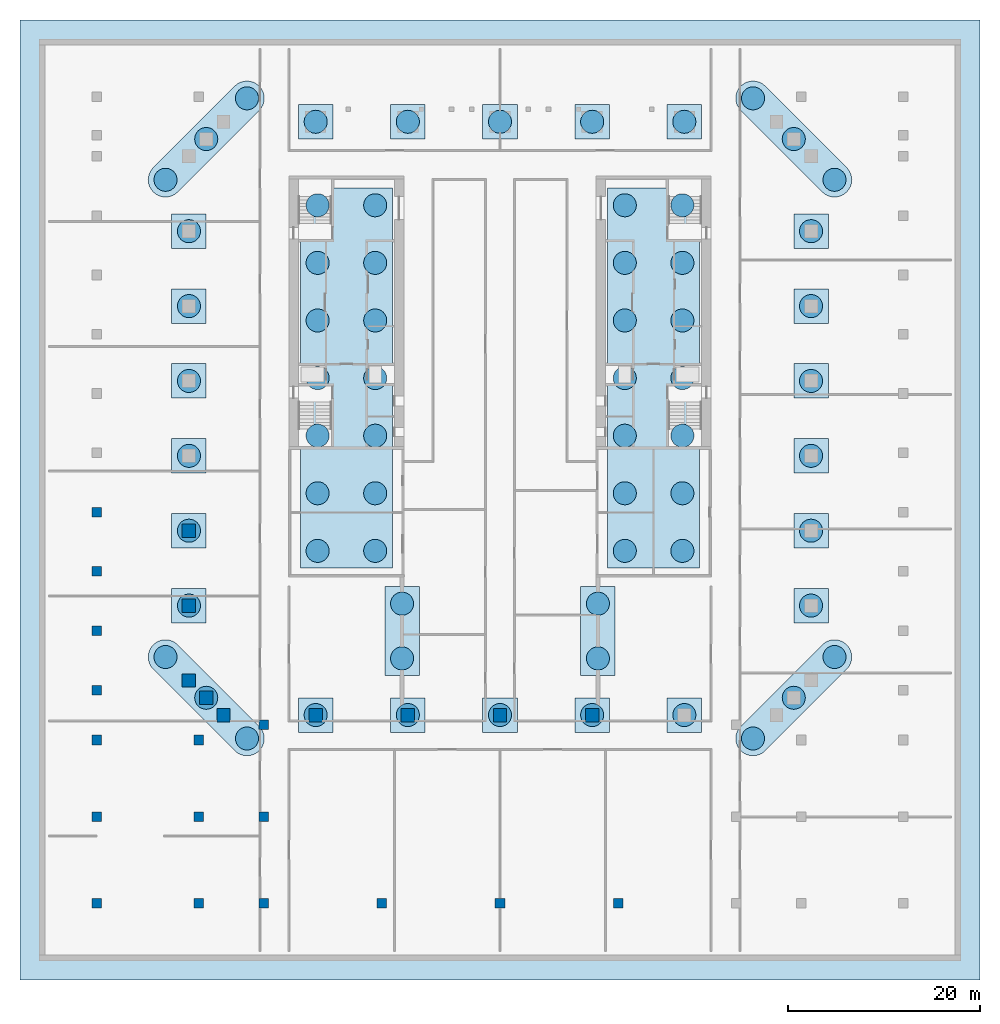
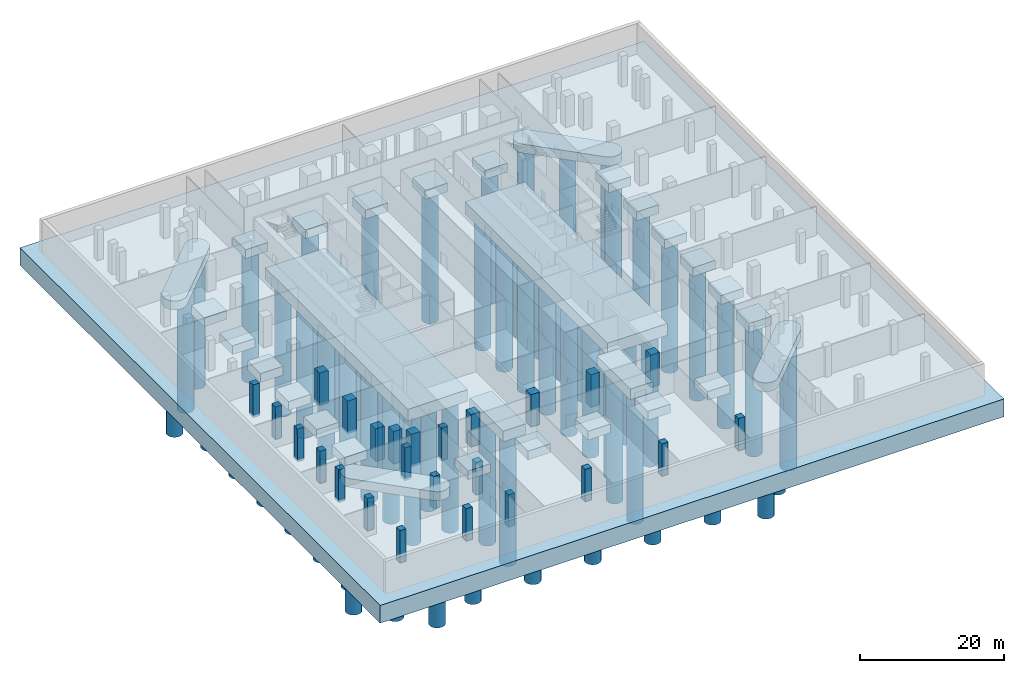
# One storey, part 1 of 14: 66 piles, 31 footings, 25 columns.
"""IFC4 building model written with IfcOpenShell, lengths in metres."""

import ifcopenshell
import ifcopenshell.guid

model = None  # the IFC model being written
_history = None  # IfcOwnerHistory: only IFC2X3 demands one
_inside = {}  # id of a spatial element -> (the spatial element, [elements in it])
_under = {}  # id of a project, library or spatial element -> (it, [spatial elements below it])
_declared = {}  # id of a project -> (the project, [libraries it declares])
_typed = {}  # id of a type object -> (the type object, [elements of that type])
_made_of = {}  # id of a material, layer set ... -> (it, [elements and type objects made of it])


def new_model(schema):
    """Start an empty IFC model of exactly this schema.

    Asked for "IFC4X3", IfcOpenShell would pick the latest addendum, in which some entities
    have other attributes; the version numbers below select the first issue.
    IFC2X3 requires an IfcOwnerHistory on every rooted entity: one is made here for all.
    """
    global model, _history
    if schema == "IFC4X3":
        model = ifcopenshell.file(schema_version=(4, 3, 0, 0))
    else:
        model = ifcopenshell.file(schema=schema)
    _inside.clear()
    _under.clear()
    _declared.clear()
    _typed.clear()
    _made_of.clear()
    _history = None
    if model.schema == "IFC2X3":
        org = make("IfcOrganization", Name="unknown")
        user = make(
            "IfcPersonAndOrganization",
            ThePerson=make("IfcPerson", FamilyName="unknown"),
            TheOrganization=org,
        )
        app = make(
            "IfcApplication",
            ApplicationDeveloper=org,
            Version="unknown",
            ApplicationFullName="unknown",
            ApplicationIdentifier="unknown",
        )
        _history = make(
            "IfcOwnerHistory",
            OwningUser=user,
            OwningApplication=app,
            ChangeAction="ADDED",
            CreationDate=0,
        )
    return model


def make(cls, **values):
    """One entity of the class cls with the attributes given. An attribute that is None is left unset."""
    return model.create_entity(
        cls, **{name: value for name, value in values.items() if value is not None}
    )


def rooted(cls, **values):
    """An entity with a GlobalId (a new one), such as an element, a storey or a relation."""
    return make(cls, GlobalId=ifcopenshell.guid.new(), OwnerHistory=_history, **values)


def si_unit(unit_type, name, prefix=None):
    """IfcSIUnit, for example si_unit("LENGTHUNIT", "METRE", prefix="MILLI")."""
    return make("IfcSIUnit", UnitType=unit_type, Prefix=prefix, Name=name)


def assignment(units):
    """IfcUnitAssignment: the units of a project."""
    return None if units is None else make("IfcUnitAssignment", Units=units)


def point(xyz):
    """IfcCartesianPoint."""
    return None if xyz is None else make("IfcCartesianPoint", Coordinates=xyz)


def direction(xyz):
    """IfcDirection."""
    return None if xyz is None else make("IfcDirection", DirectionRatios=xyz)


def frame(location, z_axis=None, x_axis=None):
    """IfcAxis2Placement3D, a coordinate frame: its origin and axes. An axis left out is left unset."""
    return make(
        "IfcAxis2Placement3D",
        Location=point(location),
        Axis=direction(z_axis),
        RefDirection=direction(x_axis),
    )


def frame_2d(location, x_axis=None):
    """IfcAxis2Placement2D, a coordinate frame in the plane: its origin and x axis."""
    return make(
        "IfcAxis2Placement2D", Location=point(location), RefDirection=direction(x_axis)
    )


def origin():
    """The frame at (0, 0, 0) with its axes left unset."""
    return frame((0.0, 0.0, 0.0))


def origin_2d():
    """The frame at (0, 0) in the plane with its x axis left unset."""
    return frame_2d((0.0, 0.0))


def place(relative_to, where):
    """IfcLocalPlacement: puts the frame where relative to a parent placement (None: the world)."""
    return make(
        "IfcLocalPlacement", PlacementRelTo=relative_to, RelativePlacement=where
    )


def context(
    kind, dimensions, precision=None, world=None, true_north=None, identifier=None
):
    """IfcGeometricRepresentationContext, for example the 3D "Model" context."""
    return make(
        "IfcGeometricRepresentationContext",
        ContextIdentifier=identifier,
        ContextType=kind,
        CoordinateSpaceDimension=dimensions,
        Precision=precision,
        WorldCoordinateSystem=world,
        TrueNorth=true_north,
    )


def subcontext(parent, identifier, kind, view, scale=None):
    """IfcGeometricRepresentationSubContext, for example "Body" below "Model"."""
    return make(
        "IfcGeometricRepresentationSubContext",
        ContextIdentifier=identifier,
        ContextType=kind,
        ParentContext=parent,
        TargetScale=scale,
        TargetView=view,
    )


def project(units=None, contexts=None):
    """IfcProject with its units and contexts."""
    return rooted(
        "IfcProject",
        Name="project",
        RepresentationContexts=contexts,
        UnitsInContext=assignment(units),
    )


def spatial(cls, under=None, at=None, **own):
    """A site, building, storey or space (cls), placed at a placement, below another one or the project."""
    s = rooted(cls, ObjectPlacement=at, **own)
    if under is not None:
        _under.setdefault(under.id(), (under, []))[1].append(s)
    return s


def polyline(points):
    """IfcPolyline through the points."""
    return make("IfcPolyline", Points=[point(p) for p in points])


def profile(cls, at=None, kind="AREA", **sizes):
    """A parametric profile (cls). Its sizes go by their IFC names, for example OverallWidth=200.0."""
    return make(cls, ProfileType=kind, Position=at, **sizes)


def rectangle(**sizes):
    """IfcRectangleProfileDef."""
    return profile("IfcRectangleProfileDef", **sizes)


def circle(**sizes):
    """IfcCircleProfileDef."""
    return profile("IfcCircleProfileDef", **sizes)


def outline(outer, holes=None, kind="AREA"):
    """IfcArbitraryClosedProfileDef: a profile drawn as a closed curve; with holes, ...WithVoids."""
    if holes is None:
        return make("IfcArbitraryClosedProfileDef", ProfileType=kind, OuterCurve=outer)
    return make(
        "IfcArbitraryProfileDefWithVoids",
        ProfileType=kind,
        OuterCurve=outer,
        InnerCurves=holes,
    )


def extrude(swept, where, along, depth):
    """IfcExtrudedAreaSolid: the profile swept, set in the frame where, extruded along a direction by depth."""
    return make(
        "IfcExtrudedAreaSolid",
        SweptArea=swept,
        Position=where,
        ExtrudedDirection=direction(along),
        Depth=depth,
    )


def shape(context_of_items, identifier, shape_type, items):
    """IfcShapeRepresentation: the items that make up one representation, for example the "Body"."""
    return make(
        "IfcShapeRepresentation",
        ContextOfItems=context_of_items,
        RepresentationIdentifier=identifier,
        RepresentationType=shape_type,
        Items=items,
    )


def material(Name=None, Category=None):
    """IfcMaterial."""
    return make("IfcMaterial", Name=Name, Category=Category)


def layer(
    of_material, thickness, ventilated=None, Name=None, Category=None, Priority=None
):
    """IfcMaterialLayer: one layer of a wall or slab, of a material (None: an air gap)."""
    return make(
        "IfcMaterialLayer",
        Material=of_material,
        LayerThickness=thickness,
        IsVentilated=ventilated,
        Name=Name,
        Category=Category,
        Priority=Priority,
    )


def layer_set(layers, Name=None):
    """IfcMaterialLayerSet."""
    return make("IfcMaterialLayerSet", MaterialLayers=layers, LayerSetName=Name)


def material_profile(
    of_material, cross_section, Name=None, Category=None, Priority=None
):
    """IfcMaterialProfile: a cross section and its material."""
    return make(
        "IfcMaterialProfile",
        Name=Name,
        Material=of_material,
        Profile=cross_section,
        Priority=Priority,
        Category=Category,
    )


def profile_set(profiles, Name=None, composite=None):
    """IfcMaterialProfileSet."""
    return make(
        "IfcMaterialProfileSet",
        Name=Name,
        MaterialProfiles=profiles,
        CompositeProfile=composite,
    )


def made_of(thing, what):
    """Note that an element or type object is made of a material, layer set ...; save() writes the relation."""
    if what is not None:
        _made_of.setdefault(what.id(), (what, []))[1].append(thing)
    return thing


def type_object(cls, material=None, **own):
    """A type object (cls), such as IfcWallType, which elements share."""
    return made_of(rooted(cls, **own), material)


def element(
    cls,
    number,
    at=None,
    inside=None,
    cuts=None,
    type_object=None,
    material=None,
    context=None,
    identifier="Body",
    shape_type=None,
    held_by="IfcProductDefinitionShape",
    body=None,
    shapes=None,
    **own,
):
    """One element of the class cls, such as IfcWall. Its Tag is "e" and its number.

    at: its placement. inside: the storey or other place that contains it. cuts: it is an
    opening in that element (IfcRelVoidsElement). A single representation is given by context,
    identifier, shape_type and body (its items); several are given by shapes. held_by: the class
    of the entity that holds the representations. save() writes the other relations.
    """
    e = rooted(cls, Tag="e%d" % number, ObjectPlacement=at, **own)
    if body is not None:
        shapes = [shape(context, identifier, shape_type, body)]
    if shapes is not None:
        e.Representation = make(held_by, Representations=shapes)
    if inside is not None:
        _inside.setdefault(inside.id(), (inside, []))[1].append(e)
    if cuts is not None:
        rooted(
            "IfcRelVoidsElement", RelatingBuildingElement=cuts, RelatedOpeningElement=e
        )
    if type_object is not None:
        _typed.setdefault(type_object.id(), (type_object, []))[1].append(e)
    return made_of(e, material)


def aggregate(whole, parts):
    """IfcRelAggregates: a whole, such as a stair, and the parts it consists of."""
    return rooted("IfcRelAggregates", RelatingObject=whole, RelatedObjects=parts)


def save(model, path):
    """Write the relations noted so far, then the file.

    IfcRelAggregates (storeys below a building ...), IfcRelContainedInSpatialStructure (elements
    in a storey), IfcRelDefinesByType, IfcRelAssociatesMaterial and IfcRelDeclares: one each for
    every whole, place, type object, material and project.
    """
    for whole, parts in _under.values():
        aggregate(whole, parts)
    for where, things in _inside.values():
        rooted(
            "IfcRelContainedInSpatialStructure",
            RelatedElements=things,
            RelatingStructure=where,
        )
    for kind, things in _typed.values():
        rooted("IfcRelDefinesByType", RelatedObjects=things, RelatingType=kind)
    for what, things in _made_of.values():
        rooted("IfcRelAssociatesMaterial", RelatedObjects=things, RelatingMaterial=what)
    for by, libraries in _declared.values():
        rooted("IfcRelDeclares", RelatingContext=by, RelatedDefinitions=libraries)
    model.write(path)


model = new_model("IFC4")

# Units and contexts
model_context = context("Model", 3, precision=1e-05, world=origin(), true_north=direction((0.0, 1.0)))
body_context = subcontext(model_context, "Body", "Model", "MODEL_VIEW")
ifc_project = project(units=[si_unit("LENGTHUNIT", "METRE"), si_unit("AREAUNIT", "SQUARE_METRE"), si_unit("VOLUMEUNIT", "CUBIC_METRE"), si_unit("PLANEANGLEUNIT", "RADIAN"), si_unit("MASSUNIT", "GRAM", prefix="KILO")], contexts=[model_context])

# Site, building, storey
site_placement = place(None, origin())
site = spatial("IfcSite", under=ifc_project, at=site_placement, CompositionType="ELEMENT")
building_placement = place(site_placement, origin())
building = spatial("IfcBuilding", under=site, at=building_placement, Name="Ogive Exchange Tower", CompositionType="ELEMENT")
storey_placement = place(building_placement, frame((0.0, 0.0, -10.39990234375)))
storey = spatial("IfcBuildingStorey", under=building, at=storey_placement, Name="B2", CompositionType="ELEMENT", Elevation=-10.39990234375)

# Piles
ifc_material_1 = material(Name="Concrete C40/50", Category="concrete")
ifc_material_profile_1 = material_profile(ifc_material_1, circle(Radius=1.199951171875, at=origin_2d()), Name="RC caisson 2400")
ifc_profile_set_1 = profile_set([ifc_material_profile_1], Name="Concrete C40/50")
pile_type = type_object("IfcPileType", Name="Bored caisson 2400", PredefinedType="BORED", material=ifc_profile_set_1)
for number, where, z_axis, x_axis, name in (
    (1, (-34.842529296875, -24.357421875, -4.2001953125), (0.0, 0.0, -1.0), (1.0, 0.0, 0.0), "Caisson 1"),
    (2, (-19.199951171875, -30.39990234375, -4.2001953125), (0.0, 0.0, -1.0), (1.0, 0.0, 0.0), "Caisson 2"),
    (3, (-9.60009765625, -30.39990234375, -4.2001953125), (0.0, 0.0, -1.0), (1.0, 0.0, 0.0), "Caisson 3"),
    (4, (0.0, -30.39990234375, -4.2001953125), (0.0, 0.0, -1.0), (1.0, 0.0, 0.0), "Caisson 4"),
    (5, (9.60009765625, -30.39990234375, -4.2001953125), (0.0, 0.0, -1.0), (1.0, 0.0, 0.0), "Caisson 5"),
    (6, (19.199951171875, -30.39990234375, -4.2001953125), (0.0, 0.0, -1.0), (1.0, 0.0, 0.0), "Caisson 6"),
    (7, (26.357421875, -32.842529296875, -4.2001953125), (0.0, 0.0, -1.0), (1.0, 0.0, 0.0), "Caisson 7"),
    (8, (-30.60009765625, -28.60009765625, -4.2001953125), (0.0, 0.0, -1.0), (1.0, 0.0, 0.0), "Caisson 8"),
    (9, (30.60009765625, -28.60009765625, -4.2001953125), (0.0, 0.0, -1.0), (1.0, 0.0, 0.0), "Caisson 9"),
    (10, (-26.357421875, -32.842529296875, -4.2001953125), (0.0, 0.0, -1.0), (1.0, 0.0, 0.0), "Caisson 10"),
    (11, (34.842529296875, -24.357421875, -4.2001953125), (0.0, 0.0, -1.0), (1.0, 0.0, 0.0), "Caisson 11"),
    (12, (-32.39990234375, -19.0, -4.2001953125), (0.0, 0.0, -1.0), (1.0, 0.0, 0.0), "Caisson 12"),
    (13, (32.39990234375, -19.0, -4.2001953125), (0.0, 0.0, -1.0), (1.0, 0.0, 0.0), "Caisson 13"),
    (14, (-32.39990234375, -11.199951171875, -4.2001953125), (0.0, 0.0, -1.0), (1.0, 0.0, 0.0), "Caisson 14"),
    (15, (32.39990234375, -11.199951171875, -4.2001953125), (0.0, 0.0, -1.0), (1.0, 0.0, 0.0), "Caisson 15"),
    (16, (-32.39990234375, -3.39990234375, -4.2001953125), (0.0, 0.0, -1.0), (1.0, 0.0, 0.0), "Caisson 16"),
    (17, (32.39990234375, -3.39990234375, -4.2001953125), (0.0, 0.0, -1.0), (1.0, 0.0, 0.0), "Caisson 17"),
    (18, (-32.39990234375, 4.39990234375, -4.2001953125), (0.0, 0.0, -1.0), (1.0, 0.0, 0.0), "Caisson 18"),
    (19, (32.39990234375, 4.39990234375, -4.2001953125), (0.0, 0.0, -1.0), (1.0, 0.0, 0.0), "Caisson 19"),
    (20, (-32.39990234375, 12.199951171875, -4.2001953125), (0.0, 0.0, -1.0), (1.0, 0.0, 0.0), "Caisson 20"),
    (21, (32.39990234375, 12.199951171875, -4.2001953125), (0.0, 0.0, -1.0), (1.0, 0.0, 0.0), "Caisson 21"),
    (22, (-32.39990234375, 20.0, -4.2001953125), (0.0, 0.0, -1.0), (1.0, 0.0, 0.0), "Caisson 22"),
    (23, (32.39990234375, 20.0, -4.2001953125), (0.0, 0.0, -1.0), (1.0, 0.0, 0.0), "Caisson 23"),
    (24, (-34.842529296875, 25.357421875, -4.2001953125), (0.0, 0.0, -1.0), (1.0, 0.0, 0.0), "Caisson 24"),
    (25, (26.357421875, 33.842529296875, -4.2001953125), (0.0, 0.0, -1.0), (1.0, 0.0, 0.0), "Caisson 25"),
    (26, (-30.60009765625, 29.60009765625, -4.2001953125), (0.0, 0.0, -1.0), (1.0, 0.0, 0.0), "Caisson 26"),
    (27, (30.60009765625, 29.60009765625, -4.2001953125), (0.0, 0.0, -1.0), (1.0, 0.0, 0.0), "Caisson 27"),
    (28, (-26.357421875, 33.842529296875, -4.2001953125), (0.0, 0.0, -1.0), (1.0, 0.0, 0.0), "Caisson 28"),
    (29, (-19.199951171875, 31.39990234375, -4.2001953125), (0.0, 0.0, -1.0), (1.0, 0.0, 0.0), "Caisson 29"),
    (30, (-9.60009765625, 31.39990234375, -4.2001953125), (0.0, 0.0, -1.0), (1.0, 0.0, 0.0), "Caisson 30"),
    (31, (0.0, 31.39990234375, -4.2001953125), (0.0, 0.0, -1.0), (1.0, 0.0, 0.0), "Caisson 31"),
    (32, (9.60009765625, 31.39990234375, -4.2001953125), (0.0, 0.0, -1.0), (1.0, 0.0, 0.0), "Caisson 32"),
    (33, (19.199951171875, 31.39990234375, -4.2001953125), (0.0, 0.0, -1.0), (1.0, 0.0, 0.0), "Caisson 33"),
    (34, (34.842529296875, 25.357421875, -4.2001953125), (0.0, 0.0, -1.0), (1.0, 0.0, 0.0), "Caisson 34"),
    (35, (-19.0, -13.300048828125, -4.7001953125), (0.0, 0.0, -1.0), (1.0, 0.0, 0.0), "Caisson 35"),
    (36, (-19.0, -7.300048828125, -4.7001953125), (0.0, 0.0, -1.0), (1.0, 0.0, 0.0), "Caisson 36"),
    (37, (-19.0, -1.300048828125, -4.7001953125), (0.0, 0.0, -1.0), (1.0, 0.0, 0.0), "Caisson 37"),
    (38, (-19.0, 4.699951171875, -4.7001953125), (0.0, 0.0, -1.0), (1.0, 0.0, 0.0), "Caisson 38"),
    (39, (-19.0, 10.699951171875, -4.7001953125), (0.0, 0.0, -1.0), (1.0, 0.0, 0.0), "Caisson 39"),
    (40, (-19.0, 16.699951171875, -4.7001953125), (0.0, 0.0, -1.0), (1.0, 0.0, 0.0), "Caisson 40"),
    (41, (-19.0, 22.699951171875, -4.7001953125), (0.0, 0.0, -1.0), (1.0, 0.0, 0.0), "Caisson 41"),
    (42, (-13.0, -13.300048828125, -4.7001953125), (0.0, 0.0, -1.0), (1.0, 0.0, 0.0), "Caisson 42"),
    (43, (-13.0, -7.300048828125, -4.7001953125), (0.0, 0.0, -1.0), (1.0, 0.0, 0.0), "Caisson 43"),
    (44, (-13.0, -1.300048828125, -4.7001953125), (0.0, 0.0, -1.0), (1.0, 0.0, 0.0), "Caisson 44"),
    (45, (-13.0, 4.699951171875, -4.7001953125), (0.0, 0.0, -1.0), (1.0, 0.0, 0.0), "Caisson 45"),
    (46, (-13.0, 10.699951171875, -4.7001953125), (0.0, 0.0, -1.0), (1.0, 0.0, 0.0), "Caisson 46"),
    (47, (-13.0, 16.699951171875, -4.7001953125), (0.0, 0.0, -1.0), (1.0, 0.0, 0.0), "Caisson 47"),
    (48, (-13.0, 22.699951171875, -4.7001953125), (0.0, 0.0, -1.0), (1.0, 0.0, 0.0), "Caisson 48"),
    (49, (13.0, -13.300048828125, -4.7001953125), (0.0, 0.0, -1.0), (1.0, 0.0, 0.0), "Caisson 49"),
    (50, (13.0, -7.300048828125, -4.7001953125), (0.0, 0.0, -1.0), (1.0, 0.0, 0.0), "Caisson 50"),
    (51, (13.0, -1.300048828125, -4.7001953125), (0.0, 0.0, -1.0), (1.0, 0.0, 0.0), "Caisson 51"),
    (52, (13.0, 4.699951171875, -4.7001953125), (0.0, 0.0, -1.0), (1.0, 0.0, 0.0), "Caisson 52"),
    (53, (13.0, 10.699951171875, -4.7001953125), (0.0, 0.0, -1.0), (1.0, 0.0, 0.0), "Caisson 53"),
    (54, (13.0, 16.699951171875, -4.7001953125), (0.0, 0.0, -1.0), (1.0, 0.0, 0.0), "Caisson 54"),
    (55, (13.0, 22.699951171875, -4.7001953125), (0.0, 0.0, -1.0), (1.0, 0.0, 0.0), "Caisson 55"),
    (56, (19.0, -13.300048828125, -4.7001953125), (0.0, 0.0, -1.0), (1.0, 0.0, 0.0), "Caisson 56"),
    (57, (19.0, -7.300048828125, -4.7001953125), (0.0, 0.0, -1.0), (1.0, 0.0, 0.0), "Caisson 57"),
    (58, (19.0, -1.300048828125, -4.7001953125), (0.0, 0.0, -1.0), (1.0, 0.0, 0.0), "Caisson 58"),
    (59, (19.0, 4.699951171875, -4.7001953125), (0.0, 0.0, -1.0), (1.0, 0.0, 0.0), "Caisson 59"),
    (60, (19.0, 10.699951171875, -4.7001953125), (0.0, 0.0, -1.0), (1.0, 0.0, 0.0), "Caisson 60"),
    (61, (19.0, 16.699951171875, -4.7001953125), (0.0, 0.0, -1.0), (1.0, 0.0, 0.0), "Caisson 61"),
    (62, (19.0, 22.699951171875, -4.7001953125), (0.0, 0.0, -1.0), (1.0, 0.0, 0.0), "Caisson 62"),
    (63, (-10.199951171875, -24.5, -4.5), (0.0, 0.0, -1.0), (1.0, 0.0, 0.0), "Caisson 63"),
    (64, (-10.199951171875, -18.800048828125, -4.5), (0.0, 0.0, -1.0), (1.0, 0.0, 0.0), "Caisson 64"),
    (65, (10.199951171875, -24.5, -4.5), (0.0, 0.0, -1.0), (1.0, 0.0, 0.0), "Caisson 65"),
    (66, (10.199951171875, -18.800048828125, -4.5), (0.0, 0.0, -1.0), (1.0, 0.0, 0.0), "Caisson 66"),
):
    element("IfcPile", number, at=place(storey_placement, frame(where, z_axis=z_axis, x_axis=x_axis)), inside=storey, type_object=pile_type, Name=name, PredefinedType="BORED", context=body_context, shape_type="SweptSolid", body=[
        extrude(circle(Radius=1.199951171875, at=origin_2d()), origin(), (0.0, 0.0, 1.0), 22.60009765625),
    ])

# Footings
ifc_layer_1 = layer(ifc_material_1, 2.0)
ifc_layer_set_1 = layer_set([ifc_layer_1], Name="Core pile cap 2000")
footing_type_1 = type_object("IfcFootingType", Name="Core pile cap 2000", PredefinedType="PILE_CAP", material=ifc_layer_set_1)
footing_1_placement = place(storey_placement, frame((0.0, 0.0, -5.300048828125)))
element("IfcFooting", 67, at=footing_1_placement, inside=storey, type_object=footing_type_1, Name="Core pile cap", PredefinedType="PILE_CAP", context=body_context, shape_type="SweptSolid", body=[
    extrude(outline(polyline([(-11.199951171875, -15.10009765625), (-11.199951171875, 24.5), (-20.800048828125, 24.5), (-20.800048828125, -15.10009765625), (-11.199951171875, -15.10009765625)])), origin(), (0.0, 0.0, 1.0), 2.0),
])
footing_2_placement = place(storey_placement, frame((0.0, 0.0, -5.300048828125)))
element("IfcFooting", 68, at=footing_2_placement, inside=storey, type_object=footing_type_1, Name="Core pile cap", PredefinedType="PILE_CAP", context=body_context, shape_type="SweptSolid", body=[
    extrude(outline(polyline([(20.800048828125, -15.10009765625), (20.800048828125, 24.5), (11.199951171875, 24.5), (11.199951171875, -15.10009765625), (20.800048828125, -15.10009765625)])), origin(), (0.0, 0.0, 1.0), 2.0),
])
ifc_layer_2 = layer(ifc_material_1, 1.5)
ifc_layer_set_2 = layer_set([ifc_layer_2], Name="Leg pile cap 1500")
footing_type_2 = type_object("IfcFootingType", Name="Leg pile cap 1500", PredefinedType="PILE_CAP", material=ifc_layer_set_2)
footing_3_placement = place(storey_placement, frame((0.0, 0.0, -4.800048828125)))
element("IfcFooting", 69, at=footing_3_placement, inside=storey, type_object=footing_type_2, Name="Leg pile cap", PredefinedType="PILE_CAP", context=body_context, shape_type="SweptSolid", body=[
    extrude(outline(polyline([(-26.357421875, -34.642578125), (-26.70849609375, -34.60791015625), (-27.046142578125, -34.505615234375), (-27.357421875, -34.339111328125), (-27.630126953125, -34.115478515625), (-31.872802734375, -29.872802734375), (-36.115478515625, -25.630126953125), (-36.339111328125, -25.357421875), (-36.505615234375, -25.046142578125), (-36.60791015625, -24.70849609375), (-36.642578125, -24.357421875), (-36.60791015625, -24.006103515625), (-36.505615234375, -23.668701171875), (-36.339111328125, -23.357421875), (-36.115478515625, -23.084716796875), (-35.842529296875, -22.86083984375), (-35.531494140625, -22.6943359375), (-35.19384765625, -22.592041015625), (-34.842529296875, -22.557373046875), (-34.491455078125, -22.592041015625), (-34.15380859375, -22.6943359375), (-33.842529296875, -22.86083984375), (-33.56982421875, -23.084716796875), (-25.084716796875, -31.56982421875), (-24.86083984375, -31.842529296875), (-24.6943359375, -32.15380859375), (-24.592041015625, -32.491455078125), (-24.557373046875, -32.842529296875), (-24.592041015625, -33.19384765625), (-24.6943359375, -33.531494140625), (-24.86083984375, -33.842529296875), (-25.084716796875, -34.115478515625), (-25.357421875, -34.339111328125), (-25.668701171875, -34.505615234375), (-26.006103515625, -34.60791015625), (-26.357421875, -34.642578125)])), origin(), (0.0, 0.0, 1.0), 1.5),
])
footing_4_placement = place(storey_placement, frame((0.0, 0.0, -4.800048828125)))
element("IfcFooting", 70, at=footing_4_placement, inside=storey, type_object=footing_type_2, Name="Leg pile cap", PredefinedType="PILE_CAP", context=body_context, shape_type="SweptSolid", body=[
    extrude(outline(polyline([(-17.39990234375, -32.199951171875), (-17.39990234375, -28.60009765625), (-21.0, -28.60009765625), (-21.0, -32.199951171875), (-17.39990234375, -32.199951171875)])), origin(), (0.0, 0.0, 1.0), 1.5),
])
footing_5_placement = place(storey_placement, frame((0.0, 0.0, -4.800048828125)))
element("IfcFooting", 71, at=footing_5_placement, inside=storey, type_object=footing_type_2, Name="Leg pile cap", PredefinedType="PILE_CAP", context=body_context, shape_type="SweptSolid", body=[
    extrude(outline(polyline([(-7.800048828125, -32.199951171875), (-7.800048828125, -28.60009765625), (-11.39990234375, -28.60009765625), (-11.39990234375, -32.199951171875), (-7.800048828125, -32.199951171875)])), origin(), (0.0, 0.0, 1.0), 1.5),
])
footing_6_placement = place(storey_placement, frame((0.0, 0.0, -4.800048828125)))
element("IfcFooting", 72, at=footing_6_placement, inside=storey, type_object=footing_type_2, Name="Leg pile cap", PredefinedType="PILE_CAP", context=body_context, shape_type="SweptSolid", body=[
    extrude(outline(polyline([(1.800048828125, -32.199951171875), (1.800048828125, -28.60009765625), (-1.800048828125, -28.60009765625), (-1.800048828125, -32.199951171875), (1.800048828125, -32.199951171875)])), origin(), (0.0, 0.0, 1.0), 1.5),
])
footing_7_placement = place(storey_placement, frame((0.0, 0.0, -4.800048828125)))
element("IfcFooting", 73, at=footing_7_placement, inside=storey, type_object=footing_type_2, Name="Leg pile cap", PredefinedType="PILE_CAP", context=body_context, shape_type="SweptSolid", body=[
    extrude(outline(polyline([(11.39990234375, -32.199951171875), (11.39990234375, -28.60009765625), (7.800048828125, -28.60009765625), (7.800048828125, -32.199951171875), (11.39990234375, -32.199951171875)])), origin(), (0.0, 0.0, 1.0), 1.5),
])
footing_8_placement = place(storey_placement, frame((0.0, 0.0, -4.800048828125)))
element("IfcFooting", 74, at=footing_8_placement, inside=storey, type_object=footing_type_2, Name="Leg pile cap", PredefinedType="PILE_CAP", context=body_context, shape_type="SweptSolid", body=[
    extrude(outline(polyline([(21.0, -32.199951171875), (21.0, -28.60009765625), (17.39990234375, -28.60009765625), (17.39990234375, -32.199951171875), (21.0, -32.199951171875)])), origin(), (0.0, 0.0, 1.0), 1.5),
])
footing_9_placement = place(storey_placement, frame((0.0, 0.0, -4.800048828125)))
element("IfcFooting", 75, at=footing_9_placement, inside=storey, type_object=footing_type_2, Name="Leg pile cap", PredefinedType="PILE_CAP", context=body_context, shape_type="SweptSolid", body=[
    extrude(outline(polyline([(26.357421875, -34.642578125), (26.006103515625, -34.60791015625), (25.668701171875, -34.505615234375), (25.357421875, -34.339111328125), (25.084716796875, -34.115478515625), (24.86083984375, -33.842529296875), (24.6943359375, -33.531494140625), (24.592041015625, -33.19384765625), (24.557373046875, -32.842529296875), (24.592041015625, -32.491455078125), (24.6943359375, -32.15380859375), (24.86083984375, -31.842529296875), (25.084716796875, -31.56982421875), (33.56982421875, -23.084716796875), (33.842529296875, -22.86083984375), (34.15380859375, -22.6943359375), (34.491455078125, -22.592041015625), (34.842529296875, -22.557373046875), (35.19384765625, -22.592041015625), (35.531494140625, -22.6943359375), (35.842529296875, -22.86083984375), (36.115478515625, -23.084716796875), (36.339111328125, -23.357421875), (36.505615234375, -23.668701171875), (36.60791015625, -24.006103515625), (36.642578125, -24.357421875), (36.60791015625, -24.70849609375), (36.505615234375, -25.046142578125), (36.339111328125, -25.357421875), (36.115478515625, -25.630126953125), (31.872802734375, -29.872802734375), (27.630126953125, -34.115478515625), (27.357421875, -34.339111328125), (27.046142578125, -34.505615234375), (26.70849609375, -34.60791015625), (26.357421875, -34.642578125)])), origin(), (0.0, 0.0, 1.0), 1.5),
])
footing_10_placement = place(storey_placement, frame((0.0, 0.0, -4.800048828125)))
element("IfcFooting", 76, at=footing_10_placement, inside=storey, type_object=footing_type_2, Name="Leg pile cap", PredefinedType="PILE_CAP", context=body_context, shape_type="SweptSolid", body=[
    extrude(outline(polyline([(-30.60009765625, -20.800048828125), (-30.60009765625, -17.199951171875), (-34.199951171875, -17.199951171875), (-34.199951171875, -20.800048828125), (-30.60009765625, -20.800048828125)])), origin(), (0.0, 0.0, 1.0), 1.5),
])
footing_11_placement = place(storey_placement, frame((0.0, 0.0, -4.800048828125)))
element("IfcFooting", 77, at=footing_11_placement, inside=storey, type_object=footing_type_2, Name="Leg pile cap", PredefinedType="PILE_CAP", context=body_context, shape_type="SweptSolid", body=[
    extrude(outline(polyline([(34.199951171875, -20.800048828125), (34.199951171875, -17.199951171875), (30.60009765625, -17.199951171875), (30.60009765625, -20.800048828125), (34.199951171875, -20.800048828125)])), origin(), (0.0, 0.0, 1.0), 1.5),
])
footing_12_placement = place(storey_placement, frame((0.0, 0.0, -4.800048828125)))
element("IfcFooting", 78, at=footing_12_placement, inside=storey, type_object=footing_type_2, Name="Leg pile cap", PredefinedType="PILE_CAP", context=body_context, shape_type="SweptSolid", body=[
    extrude(outline(polyline([(-30.60009765625, -13.0), (-30.60009765625, -9.39990234375), (-34.199951171875, -9.39990234375), (-34.199951171875, -13.0), (-30.60009765625, -13.0)])), origin(), (0.0, 0.0, 1.0), 1.5),
])
footing_13_placement = place(storey_placement, frame((0.0, 0.0, -4.800048828125)))
element("IfcFooting", 79, at=footing_13_placement, inside=storey, type_object=footing_type_2, Name="Leg pile cap", PredefinedType="PILE_CAP", context=body_context, shape_type="SweptSolid", body=[
    extrude(outline(polyline([(34.199951171875, -13.0), (34.199951171875, -9.39990234375), (30.60009765625, -9.39990234375), (30.60009765625, -13.0), (34.199951171875, -13.0)])), origin(), (0.0, 0.0, 1.0), 1.5),
])
footing_14_placement = place(storey_placement, frame((0.0, 0.0, -4.800048828125)))
element("IfcFooting", 80, at=footing_14_placement, inside=storey, type_object=footing_type_2, Name="Leg pile cap", PredefinedType="PILE_CAP", context=body_context, shape_type="SweptSolid", body=[
    extrude(outline(polyline([(-30.60009765625, -5.199951171875), (-30.60009765625, -1.60009765625), (-34.199951171875, -1.60009765625), (-34.199951171875, -5.199951171875), (-30.60009765625, -5.199951171875)])), origin(), (0.0, 0.0, 1.0), 1.5),
])
footing_15_placement = place(storey_placement, frame((0.0, 0.0, -4.800048828125)))
element("IfcFooting", 81, at=footing_15_placement, inside=storey, type_object=footing_type_2, Name="Leg pile cap", PredefinedType="PILE_CAP", context=body_context, shape_type="SweptSolid", body=[
    extrude(outline(polyline([(34.199951171875, -5.199951171875), (34.199951171875, -1.60009765625), (30.60009765625, -1.60009765625), (30.60009765625, -5.199951171875), (34.199951171875, -5.199951171875)])), origin(), (0.0, 0.0, 1.0), 1.5),
])
footing_16_placement = place(storey_placement, frame((0.0, 0.0, -4.800048828125)))
element("IfcFooting", 82, at=footing_16_placement, inside=storey, type_object=footing_type_2, Name="Leg pile cap", PredefinedType="PILE_CAP", context=body_context, shape_type="SweptSolid", body=[
    extrude(outline(polyline([(-30.60009765625, 2.60009765625), (-30.60009765625, 6.199951171875), (-34.199951171875, 6.199951171875), (-34.199951171875, 2.60009765625), (-30.60009765625, 2.60009765625)])), origin(), (0.0, 0.0, 1.0), 1.5),
])
footing_17_placement = place(storey_placement, frame((0.0, 0.0, -4.800048828125)))
element("IfcFooting", 83, at=footing_17_placement, inside=storey, type_object=footing_type_2, Name="Leg pile cap", PredefinedType="PILE_CAP", context=body_context, shape_type="SweptSolid", body=[
    extrude(outline(polyline([(34.199951171875, 2.60009765625), (34.199951171875, 6.199951171875), (30.60009765625, 6.199951171875), (30.60009765625, 2.60009765625), (34.199951171875, 2.60009765625)])), origin(), (0.0, 0.0, 1.0), 1.5),
])
footing_18_placement = place(storey_placement, frame((0.0, 0.0, -4.800048828125)))
element("IfcFooting", 84, at=footing_18_placement, inside=storey, type_object=footing_type_2, Name="Leg pile cap", PredefinedType="PILE_CAP", context=body_context, shape_type="SweptSolid", body=[
    extrude(outline(polyline([(-30.60009765625, 10.39990234375), (-30.60009765625, 14.0), (-34.199951171875, 14.0), (-34.199951171875, 10.39990234375), (-30.60009765625, 10.39990234375)])), origin(), (0.0, 0.0, 1.0), 1.5),
])
footing_19_placement = place(storey_placement, frame((0.0, 0.0, -4.800048828125)))
element("IfcFooting", 85, at=footing_19_placement, inside=storey, type_object=footing_type_2, Name="Leg pile cap", PredefinedType="PILE_CAP", context=body_context, shape_type="SweptSolid", body=[
    extrude(outline(polyline([(34.199951171875, 10.39990234375), (34.199951171875, 14.0), (30.60009765625, 14.0), (30.60009765625, 10.39990234375), (34.199951171875, 10.39990234375)])), origin(), (0.0, 0.0, 1.0), 1.5),
])
footing_20_placement = place(storey_placement, frame((0.0, 0.0, -4.800048828125)))
element("IfcFooting", 86, at=footing_20_placement, inside=storey, type_object=footing_type_2, Name="Leg pile cap", PredefinedType="PILE_CAP", context=body_context, shape_type="SweptSolid", body=[
    extrude(outline(polyline([(-30.60009765625, 18.199951171875), (-30.60009765625, 21.800048828125), (-34.199951171875, 21.800048828125), (-34.199951171875, 18.199951171875), (-30.60009765625, 18.199951171875)])), origin(), (0.0, 0.0, 1.0), 1.5),
])
footing_21_placement = place(storey_placement, frame((0.0, 0.0, -4.800048828125)))
element("IfcFooting", 87, at=footing_21_placement, inside=storey, type_object=footing_type_2, Name="Leg pile cap", PredefinedType="PILE_CAP", context=body_context, shape_type="SweptSolid", body=[
    extrude(outline(polyline([(34.199951171875, 18.199951171875), (34.199951171875, 21.800048828125), (30.60009765625, 21.800048828125), (30.60009765625, 18.199951171875), (34.199951171875, 18.199951171875)])), origin(), (0.0, 0.0, 1.0), 1.5),
])
footing_22_placement = place(storey_placement, frame((0.0, 0.0, -4.800048828125)))
element("IfcFooting", 88, at=footing_22_placement, inside=storey, type_object=footing_type_2, Name="Leg pile cap", PredefinedType="PILE_CAP", context=body_context, shape_type="SweptSolid", body=[
    extrude(outline(polyline([(-34.842529296875, 23.557373046875), (-35.19384765625, 23.592041015625), (-35.531494140625, 23.6943359375), (-35.842529296875, 23.86083984375), (-36.115478515625, 24.084716796875), (-36.339111328125, 24.357421875), (-36.505615234375, 24.668701171875), (-36.60791015625, 25.006103515625), (-36.642578125, 25.357421875), (-36.60791015625, 25.70849609375), (-36.505615234375, 26.046142578125), (-36.339111328125, 26.357421875), (-36.115478515625, 26.630126953125), (-31.872802734375, 30.872802734375), (-27.630126953125, 35.115478515625), (-27.357421875, 35.339111328125), (-27.046142578125, 35.505615234375), (-26.70849609375, 35.60791015625), (-26.357421875, 35.642578125), (-26.006103515625, 35.60791015625), (-25.668701171875, 35.505615234375), (-25.357421875, 35.339111328125), (-25.084716796875, 35.115478515625), (-24.86083984375, 34.842529296875), (-24.6943359375, 34.531494140625), (-24.592041015625, 34.19384765625), (-24.557373046875, 33.842529296875), (-24.592041015625, 33.491455078125), (-24.6943359375, 33.15380859375), (-24.86083984375, 32.842529296875), (-25.084716796875, 32.56982421875), (-33.56982421875, 24.084716796875), (-33.842529296875, 23.86083984375), (-34.15380859375, 23.6943359375), (-34.491455078125, 23.592041015625), (-34.842529296875, 23.557373046875)])), origin(), (0.0, 0.0, 1.0), 1.5),
])
footing_23_placement = place(storey_placement, frame((0.0, 0.0, -4.800048828125)))
element("IfcFooting", 89, at=footing_23_placement, inside=storey, type_object=footing_type_2, Name="Leg pile cap", PredefinedType="PILE_CAP", context=body_context, shape_type="SweptSolid", body=[
    extrude(outline(polyline([(34.842529296875, 23.557373046875), (34.491455078125, 23.592041015625), (34.15380859375, 23.6943359375), (33.842529296875, 23.86083984375), (33.56982421875, 24.084716796875), (25.084716796875, 32.56982421875), (24.86083984375, 32.842529296875), (24.6943359375, 33.15380859375), (24.592041015625, 33.491455078125), (24.557373046875, 33.842529296875), (24.592041015625, 34.19384765625), (24.6943359375, 34.531494140625), (24.86083984375, 34.842529296875), (25.084716796875, 35.115478515625), (25.357421875, 35.339111328125), (25.668701171875, 35.505615234375), (26.006103515625, 35.60791015625), (26.357421875, 35.642578125), (26.70849609375, 35.60791015625), (27.046142578125, 35.505615234375), (27.357421875, 35.339111328125), (27.630126953125, 35.115478515625), (31.872802734375, 30.872802734375), (36.115478515625, 26.630126953125), (36.339111328125, 26.357421875), (36.505615234375, 26.046142578125), (36.60791015625, 25.70849609375), (36.642578125, 25.357421875), (36.60791015625, 25.006103515625), (36.505615234375, 24.668701171875), (36.339111328125, 24.357421875), (36.115478515625, 24.084716796875), (35.842529296875, 23.86083984375), (35.531494140625, 23.6943359375), (35.19384765625, 23.592041015625), (34.842529296875, 23.557373046875)])), origin(), (0.0, 0.0, 1.0), 1.5),
])
footing_24_placement = place(storey_placement, frame((0.0, 0.0, -4.800048828125)))
element("IfcFooting", 90, at=footing_24_placement, inside=storey, type_object=footing_type_2, Name="Leg pile cap", PredefinedType="PILE_CAP", context=body_context, shape_type="SweptSolid", body=[
    extrude(outline(polyline([(-17.39990234375, 29.60009765625), (-17.39990234375, 33.199951171875), (-21.0, 33.199951171875), (-21.0, 29.60009765625), (-17.39990234375, 29.60009765625)])), origin(), (0.0, 0.0, 1.0), 1.5),
])
footing_25_placement = place(storey_placement, frame((0.0, 0.0, -4.800048828125)))
element("IfcFooting", 91, at=footing_25_placement, inside=storey, type_object=footing_type_2, Name="Leg pile cap", PredefinedType="PILE_CAP", context=body_context, shape_type="SweptSolid", body=[
    extrude(outline(polyline([(-7.800048828125, 29.60009765625), (-7.800048828125, 33.199951171875), (-11.39990234375, 33.199951171875), (-11.39990234375, 29.60009765625), (-7.800048828125, 29.60009765625)])), origin(), (0.0, 0.0, 1.0), 1.5),
])
footing_26_placement = place(storey_placement, frame((0.0, 0.0, -4.800048828125)))
element("IfcFooting", 92, at=footing_26_placement, inside=storey, type_object=footing_type_2, Name="Leg pile cap", PredefinedType="PILE_CAP", context=body_context, shape_type="SweptSolid", body=[
    extrude(outline(polyline([(1.800048828125, 29.60009765625), (1.800048828125, 33.199951171875), (-1.800048828125, 33.199951171875), (-1.800048828125, 29.60009765625), (1.800048828125, 29.60009765625)])), origin(), (0.0, 0.0, 1.0), 1.5),
])
footing_27_placement = place(storey_placement, frame((0.0, 0.0, -4.800048828125)))
element("IfcFooting", 93, at=footing_27_placement, inside=storey, type_object=footing_type_2, Name="Leg pile cap", PredefinedType="PILE_CAP", context=body_context, shape_type="SweptSolid", body=[
    extrude(outline(polyline([(11.39990234375, 29.60009765625), (11.39990234375, 33.199951171875), (7.800048828125, 33.199951171875), (7.800048828125, 29.60009765625), (11.39990234375, 29.60009765625)])), origin(), (0.0, 0.0, 1.0), 1.5),
])
footing_28_placement = place(storey_placement, frame((0.0, 0.0, -4.800048828125)))
element("IfcFooting", 94, at=footing_28_placement, inside=storey, type_object=footing_type_2, Name="Leg pile cap", PredefinedType="PILE_CAP", context=body_context, shape_type="SweptSolid", body=[
    extrude(outline(polyline([(21.0, 29.60009765625), (21.0, 33.199951171875), (17.39990234375, 33.199951171875), (17.39990234375, 29.60009765625), (21.0, 29.60009765625)])), origin(), (0.0, 0.0, 1.0), 1.5),
])
ifc_layer_3 = layer(ifc_material_1, 3.0)
ifc_layer_set_3 = layer_set([ifc_layer_3], Name="Raft foundation 3000")
footing_type_3 = type_object("IfcFootingType", Name="Raft foundation 3000", PredefinedType="USERDEFINED", material=ifc_layer_set_3)
footing_29_placement = place(storey_placement, frame((0.0, 0.0, -3.300048828125)))
element("IfcFooting", 95, at=footing_29_placement, inside=storey, type_object=footing_type_3, Name="Raft foundation", ObjectType="Raft foundation", PredefinedType="USERDEFINED", context=body_context, shape_type="SweptSolid", body=[
    extrude(outline(polyline([(50.0, -58.0), (50.0, 42.0), (-50.0, 42.0), (-50.0, -58.0), (50.0, -58.0)])), origin(), (0.0, 0.0, 1.0), 3.0),
])
ifc_layer_4 = layer(ifc_material_1, 1.800048828125)
ifc_layer_set_4 = layer_set([ifc_layer_4], Name="Spine wall pile cap 1800")
footing_type_4 = type_object("IfcFootingType", Name="Spine wall pile cap 1800", PredefinedType="PILE_CAP", material=ifc_layer_set_4)
footing_30_placement = place(storey_placement, frame((0.0, 0.0, -5.10009765625)))
element("IfcFooting", 96, at=footing_30_placement, inside=storey, type_object=footing_type_4, Name="Spine wall pile cap", PredefinedType="PILE_CAP", context=body_context, shape_type="SweptSolid", body=[
    extrude(outline(polyline([(-8.39990234375, -26.300048828125), (-8.39990234375, -17.0), (-12.0, -17.0), (-12.0, -26.300048828125), (-8.39990234375, -26.300048828125)])), origin(), (0.0, 0.0, 1.0), 1.800048828125),
])
footing_31_placement = place(storey_placement, frame((0.0, 0.0, -5.10009765625)))
element("IfcFooting", 97, at=footing_31_placement, inside=storey, type_object=footing_type_4, Name="Spine wall pile cap", PredefinedType="PILE_CAP", context=body_context, shape_type="SweptSolid", body=[
    extrude(outline(polyline([(12.0, -26.300048828125), (12.0, -17.0), (8.39990234375, -17.0), (8.39990234375, -26.300048828125), (12.0, -26.300048828125)])), origin(), (0.0, 0.0, 1.0), 1.800048828125),
])

# Columns
ifc_material_2 = material(Name="Concrete C70/85", Category="concrete")
ifc_material_profile_2 = material_profile(ifc_material_2, rectangle(XDim=1.0, YDim=1.0, at=origin_2d()), Name="RC 1000x1000")
ifc_profile_set_2 = profile_set([ifc_material_profile_2], Name="Concrete C70/85")
column_type_1 = type_object("IfcColumnType", Name="RC column 1000x1000", PredefinedType="COLUMN", material=ifc_profile_set_2)
for number, where, z_axis, x_axis, name in (
    (98, (-42.0, -50.0, -0.300048828125), (0.0, 0.0, 1.0), (1.0, 0.0, 0.0), "Podium column"),
    (99, (-31.39990234375, -50.0, -0.300048828125), (0.0, 0.0, 1.0), (1.0, 0.0, 0.0), "Podium column"),
    (100, (-24.60009765625, -50.0, -0.300048828125), (0.0, 0.0, 1.0), (1.0, 0.0, 0.0), "Podium column"),
    (101, (-12.300048828125, -50.0, -0.300048828125), (0.0, 0.0, 1.0), (1.0, 0.0, 0.0), "Podium column"),
    (102, (0.0, -50.0, -0.300048828125), (0.0, 0.0, 1.0), (1.0, 0.0, 0.0), "Podium column"),
    (103, (12.300048828125, -50.0, -0.300048828125), (0.0, 0.0, 1.0), (1.0, 0.0, 0.0), "Podium column"),
    (104, (-42.0, -41.0, -0.300048828125), (0.0, 0.0, 1.0), (1.0, 0.0, 0.0), "Podium column"),
    (105, (-31.39990234375, -41.0, -0.300048828125), (0.0, 0.0, 1.0), (1.0, 0.0, 0.0), "Podium column"),
    (106, (-24.60009765625, -41.0, -0.300048828125), (0.0, 0.0, 1.0), (1.0, 0.0, 0.0), "Podium column"),
    (107, (-42.0, -33.0, -0.300048828125), (0.0, 0.0, 1.0), (1.0, 0.0, 0.0), "Podium column"),
    (108, (-31.39990234375, -33.0, -0.300048828125), (0.0, 0.0, 1.0), (1.0, 0.0, 0.0), "Podium column"),
    (109, (-24.60009765625, -31.39990234375, -0.300048828125), (0.0, 0.0, 1.0), (1.0, 0.0, 0.0), "Podium column"),
    (110, (-42.0, -27.800048828125, -0.300048828125), (0.0, 0.0, 1.0), (1.0, 0.0, 0.0), "Podium column"),
    (111, (-42.0, -21.6201171875, -0.300048828125), (0.0, 0.0, 1.0), (1.0, 0.0, 0.0), "Podium column"),
    (112, (-42.0, -15.43994140625, -0.300048828125), (0.0, 0.0, 1.0), (1.0, 0.0, 0.0), "Podium column"),
    (113, (-42.0, -9.27001953125, -0.300048828125), (0.0, 0.0, 1.0), (1.0, 0.0, 0.0), "Podium column"),
):
    element("IfcColumn", number, at=place(storey_placement, frame(where, z_axis=z_axis, x_axis=x_axis)), inside=storey, type_object=column_type_1, Name=name, PredefinedType="COLUMN", context=body_context, shape_type="SweptSolid", body=[
        extrude(rectangle(XDim=1.0, YDim=1.0, at=origin_2d()), origin(), (0.0, 0.0, 1.0), 5.5),
    ])
ifc_material_profile_3 = material_profile(ifc_material_2, rectangle(XDim=1.39990234375, YDim=1.39990234375, at=origin_2d()), Name="RC 1400x1400")
ifc_profile_set_3 = profile_set([ifc_material_profile_3], Name="Concrete C70/85")
column_type_2 = type_object("IfcColumnType", Name="RC column 1400x1400", PredefinedType="COLUMN", material=ifc_profile_set_3)
for number, where, z_axis, x_axis, name in (
    (114, (-28.800048828125, -30.39990234375, -0.300048828125), (0.0, 0.0, 1.0), (1.0, 0.0, 0.0), "Leg column"),
    (115, (-19.199951171875, -30.39990234375, -0.300048828125), (0.0, 0.0, 1.0), (1.0, 0.0, 0.0), "Leg column"),
    (116, (-9.60009765625, -30.39990234375, -0.300048828125), (0.0, 0.0, 1.0), (1.0, 0.0, 0.0), "Leg column"),
    (117, (0.0, -30.39990234375, -0.300048828125), (0.0, 0.0, 1.0), (1.0, 0.0, 0.0), "Leg column"),
    (118, (9.60009765625, -30.39990234375, -0.300048828125), (0.0, 0.0, 1.0), (1.0, 0.0, 0.0), "Leg column"),
    (119, (-30.60009765625, -28.60009765625, -0.300048828125), (0.0, 0.0, 1.0), (1.0, 0.0, 0.0), "Leg column"),
    (120, (-32.39990234375, -26.800048828125, -0.300048828125), (0.0, 0.0, 1.0), (1.0, 0.0, 0.0), "Leg column"),
    (121, (-32.39990234375, -19.0, -0.300048828125), (0.0, 0.0, 1.0), (1.0, 0.0, 0.0), "Leg column"),
    (122, (-32.39990234375, -11.199951171875, -0.300048828125), (0.0, 0.0, 1.0), (1.0, 0.0, 0.0), "Leg column"),
):
    element("IfcColumn", number, at=place(storey_placement, frame(where, z_axis=z_axis, x_axis=x_axis)), inside=storey, type_object=column_type_2, Name=name, PredefinedType="COLUMN", context=body_context, shape_type="SweptSolid", body=[
        extrude(rectangle(XDim=1.39990234375, YDim=1.39990234375, at=origin_2d()), origin(), (0.0, 0.0, 1.0), 5.5),
    ])

save(model, "model.ifc")
